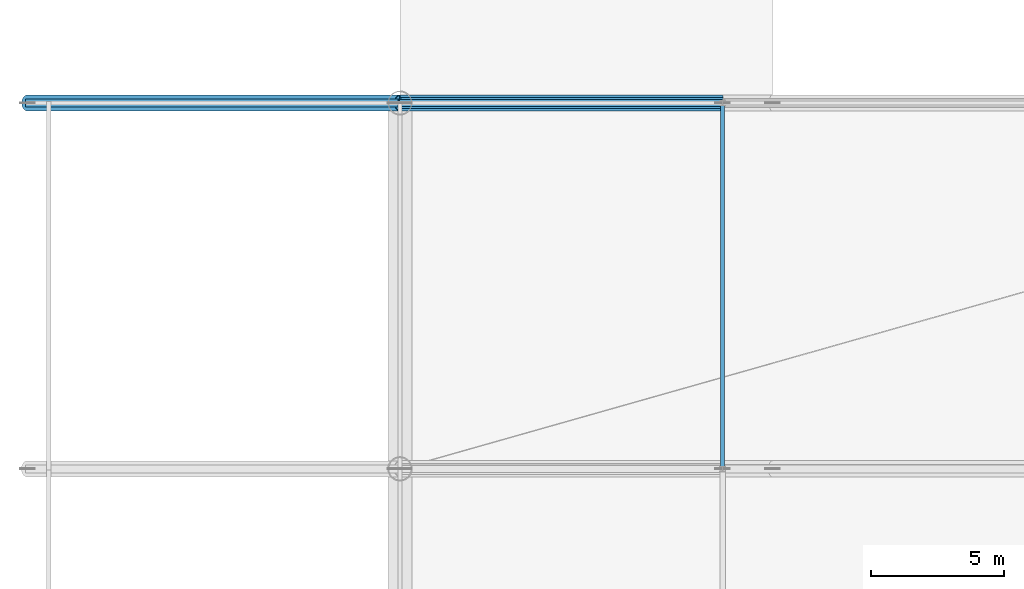
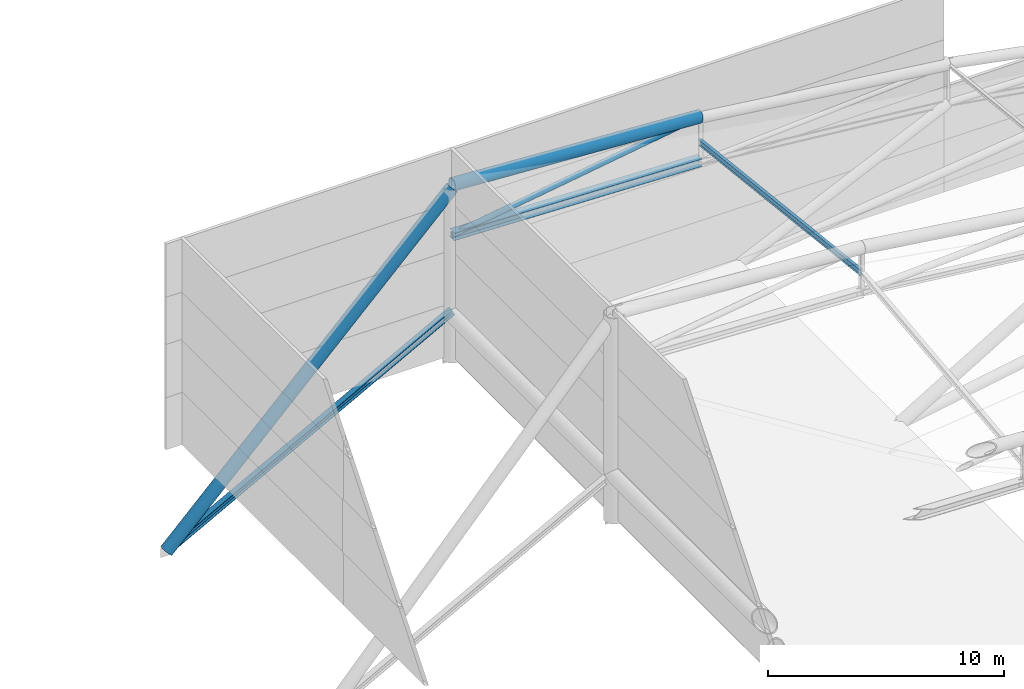
# One storey, part 21 of 36: 6 members.
"""IFC4 building model written with IfcOpenShell, lengths in metres."""

from ifc_helpers import new_model, si_unit, direction, frame, origin, origin_2d, place, context, subcontext, project, spatial, hollow_circle, i_section, extrude, material, material_profile, profile_set, type_object, element, save


model = new_model("IFC4")

# Units and contexts
model_context = context("Model", 3, precision=1e-05, world=origin(), true_north=direction((0.0, 1.0)))
body_context = subcontext(model_context, "Body", "Model", "MODEL_VIEW")
ifc_project = project(units=[si_unit("LENGTHUNIT", "METRE"), si_unit("AREAUNIT", "SQUARE_METRE"), si_unit("VOLUMEUNIT", "CUBIC_METRE"), si_unit("PLANEANGLEUNIT", "RADIAN"), si_unit("MASSUNIT", "GRAM", prefix="KILO")], contexts=[model_context])

# Site, building, storey
site_placement = place(None, origin())
site = spatial("IfcSite", under=ifc_project, at=site_placement, CompositionType="ELEMENT")
building_placement = place(site_placement, origin())
building = spatial("IfcBuilding", under=site, at=building_placement, Name="Linyun Crest Stadium", CompositionType="ELEMENT")
storey_placement = place(building_placement, frame((0.0, 0.0, 31.60009765625)))
storey = spatial("IfcBuildingStorey", under=building, at=storey_placement, Name="RF", CompositionType="ELEMENT", Elevation=31.60009765625)

# Members
ifc_material_1 = material(Name="Steel Q355B", Category="steel")
ifc_material_profile_1 = material_profile(ifc_material_1, i_section(OverallWidth=0.14990234375, OverallDepth=0.300048828125, WebThickness=0.007080078125, FlangeThickness=0.009033203125, at=origin_2d()), Name="HN 300x150")
ifc_profile_set_1 = profile_set([ifc_material_profile_1], Name="Steel Q355B")
member_type_1 = type_object("IfcMemberType", Name="PR01", PredefinedType="PURLIN", material=ifc_profile_set_1)
member_1_placement = place(storey_placement, frame((-71.875, 29.625, 8.227783203125), z_axis=(0.0, 0.993699915106, -0.112073541562), x_axis=(-1.0, 0.0, 0.0)))
element("IfcMember", 1, at=member_1_placement, inside=storey, type_object=member_type_1, Name="Roof canopy purlin PR01 V1 177", PredefinedType="PURLIN", context=body_context, shape_type="SweptSolid", body=[
    extrude(i_section(OverallWidth=0.14990234375, OverallDepth=0.300048828125, WebThickness=0.007080078125, FlangeThickness=0.009033203125, at=origin_2d()), origin(), (0.0, 0.0, 1.0), 13.837158203125),
])
ifc_material_2 = material(Name="Steel Q420C", Category="steel")
ifc_material_profile_2 = material_profile(ifc_material_2, hollow_circle(Radius=0.304931640625, WallThickness=0.030029296875, at=origin_2d()), Name="CHS 610x30")
ifc_profile_set_2 = profile_set([ifc_material_profile_2], Name="Steel Q420C")
member_type_2 = type_object("IfcMemberType", Name="TC02", PredefinedType="CHORD", material=ifc_profile_set_2)
member_2_placement = place(storey_placement, frame((-84.0, 43.375, 8.5498046875), z_axis=(-0.708878482915, 0.0, -0.70533062918), x_axis=(0.0, -1.0, 0.0)))
element("IfcMember", 2, at=member_2_placement, inside=storey, type_object=member_type_2, Name="Roof truss back-stay chord TC02 V1 134", PredefinedType="CHORD", context=body_context, shape_type="SweptSolid", body=[
    extrude(hollow_circle(Radius=0.304931640625, WallThickness=0.030029296875, at=origin_2d()), origin(), (0.0, 0.0, 1.0), 19.74951171875),
])
member_3_placement = place(storey_placement, frame((-84.0, 43.375, 8.699951171875), z_axis=(0.998274858327, 0.0, -0.058713773783), x_axis=(0.0, 1.0, 0.0)))
element("IfcMember", 3, at=member_3_placement, inside=storey, type_object=member_type_2, Name="Roof truss top chord TC02 V1 136", PredefinedType="CHORD", context=body_context, shape_type="SweptSolid", body=[
    extrude(hollow_circle(Radius=0.304931640625, WallThickness=0.030029296875, at=origin_2d()), origin(), (0.0, 0.0, 1.0), 12.14599609375),
])
ifc_material_3 = material(Name="Steel Q355C", Category="steel")
ifc_material_profile_3 = material_profile(ifc_material_3, i_section(OverallWidth=0.300048828125, OverallDepth=0.300048828125, WebThickness=0.010009765625, FlangeThickness=0.014892578125, at=origin_2d()), Name="HW 300x300")
ifc_profile_set_3 = profile_set([ifc_material_profile_3], Name="Steel Q355C")
member_type_3 = type_object("IfcMemberType", Name="TC03", PredefinedType="CHORD", material=ifc_profile_set_3)
member_4_placement = place(storey_placement, frame((-84.0, 43.375, 2.164794921875), z_axis=(-0.880301475787, 0.0, -0.474414704376), x_axis=(0.0, -1.0, 0.0)))
element("IfcMember", 4, at=member_4_placement, inside=storey, type_object=member_type_3, Name="Roof truss lower back-span chord TC03 V1 135", PredefinedType="CHORD", context=body_context, shape_type="SweptSolid", body=[
    extrude(i_section(OverallWidth=0.300048828125, OverallDepth=0.300048828125, WebThickness=0.010009765625, FlangeThickness=0.014892578125, at=origin_2d()), origin(), (0.0, 0.0, 1.0), 15.903564453125),
])
ifc_material_4 = material(Name="Steel Q420C", Category="steel")
ifc_material_profile_4 = material_profile(ifc_material_4, i_section(OverallWidth=0.407958984375, OverallDepth=0.39990234375, WebThickness=0.02099609375, FlangeThickness=0.02099609375, at=origin_2d()), Name="HW 400x408")
ifc_profile_set_4 = profile_set([ifc_material_profile_4], Name="Steel Q420C")
member_type_4 = type_object("IfcMemberType", Name="TC04", PredefinedType="CHORD", material=ifc_profile_set_4)
member_5_placement = place(storey_placement, frame((-84.0, 43.375, 6.099853515625), z_axis=(0.999453893872, 0.0, -0.033044122377), x_axis=(0.0, 1.0, 0.0)))
element("IfcMember", 5, at=member_5_placement, inside=storey, type_object=member_type_4, Name="Roof truss bottom chord TC04 V1 137", PredefinedType="CHORD", context=body_context, shape_type="SweptSolid", body=[
    extrude(i_section(OverallWidth=0.407958984375, OverallDepth=0.39990234375, WebThickness=0.02099609375, FlangeThickness=0.02099609375, at=origin_2d()), origin(), (0.0, 0.0, 1.0), 12.131591796875),
])
ifc_material_5 = material(Name="Steel Q355C", Category="steel")
ifc_material_profile_5 = material_profile(ifc_material_5, hollow_circle(Radius=0.136474609375, WallThickness=0.013916015625, at=origin_2d()), Name="CHS 273x14")
ifc_profile_set_5 = profile_set([ifc_material_profile_5], Name="Steel Q355C")
member_type_5 = type_object("IfcMemberType", Name="TD01", PredefinedType="BRACE", material=ifc_profile_set_5)
member_6_placement = place(storey_placement, frame((-84.0, 43.375, 6.099853515625), z_axis=(0.988105923957, 0.0, 0.153774780249), x_axis=(0.0, 1.0, 0.0)))
element("IfcMember", 6, at=member_6_placement, inside=storey, type_object=member_type_5, Name="Roof truss diagonal TD01 V1 138", PredefinedType="BRACE", context=body_context, shape_type="SweptSolid", body=[
    extrude(hollow_circle(Radius=0.136474609375, WallThickness=0.013916015625, at=origin_2d()), origin(), (0.0, 0.0, 1.0), 12.27099609375),
])

save(model, "model.ifc")
